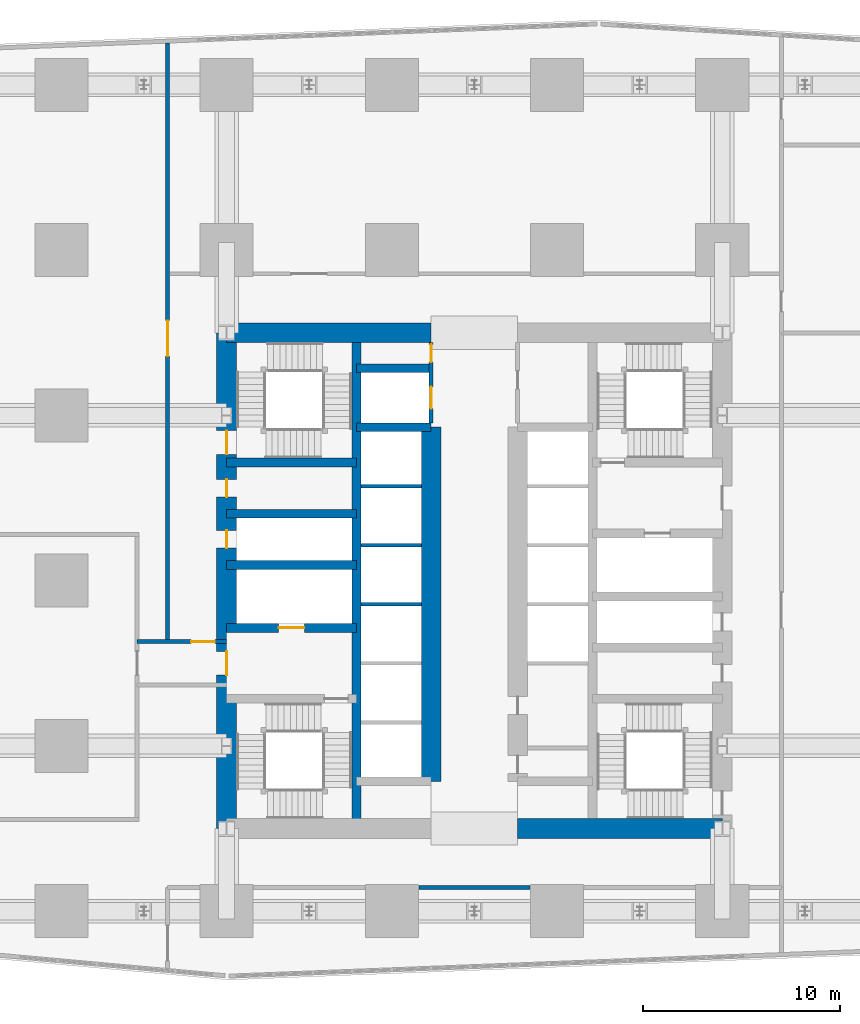
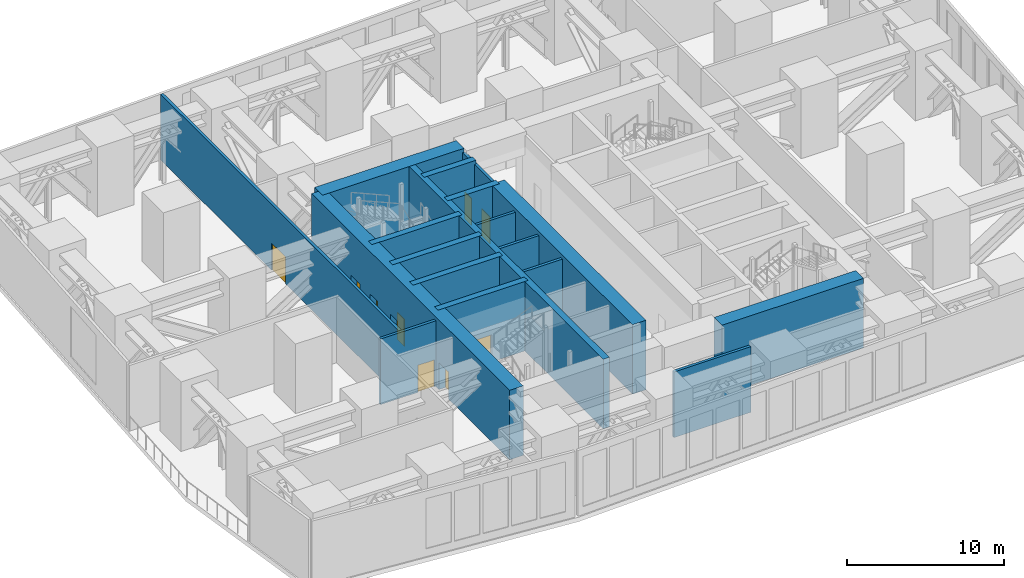
# One storey, part 9 of 16: 18 walls, 9 doors, 9 openings.
"""IFC4 building model written with IfcOpenShell, lengths in metres."""

from ifc_helpers import new_model, si_unit, direction, frame, frame_2d, origin, place, context, subcontext, project, spatial, rectangle, extrude, material, layer, layer_set, type_object, element, fill, save


model = new_model("IFC4")

# Units and contexts
model_context = context("Model", 3, precision=1e-05, world=origin(), true_north=direction((0.0, 1.0)))
body_context = subcontext(model_context, "Body", "Model", "MODEL_VIEW")
ifc_project = project(units=[si_unit("LENGTHUNIT", "METRE"), si_unit("AREAUNIT", "SQUARE_METRE"), si_unit("VOLUMEUNIT", "CUBIC_METRE"), si_unit("PLANEANGLEUNIT", "RADIAN"), si_unit("MASSUNIT", "GRAM", prefix="KILO")], contexts=[model_context])

# Site, building, storey
site_placement = place(None, origin())
site = spatial("IfcSite", under=ifc_project, at=site_placement, CompositionType="ELEMENT")
building_placement = place(site_placement, origin())
building = spatial("IfcBuilding", under=site, at=building_placement, Name="Rekha Terrace Tower", CompositionType="ELEMENT")
storey_placement = place(building_placement, frame((0.0, 0.0, 162.800048828125)))
storey = spatial("IfcBuildingStorey", under=building, at=storey_placement, Name="L41", CompositionType="ELEMENT", Elevation=162.800048828125)

# Walls
ifc_material_1 = material(Name="Concrete M60", Category="concrete")
ifc_layer_1 = layer(ifc_material_1, 0.449951171875)
ifc_layer_set_1 = layer_set([ifc_layer_1], Name="Concrete M60")
wall_type_1 = type_object("IfcWallType", Name="CI3 450 core internal shear wall", PredefinedType="SHEAR", material=ifc_layer_set_1)
wall_1_placement = place(storey_placement, frame((31.800048828125, 21.0, 0.0), z_axis=(0.0, 0.0, 1.0), x_axis=(0.0, 1.0, 0.0)))
element("IfcWall", 1, at=wall_1_placement, inside=storey, type_object=wall_type_1, Name="Core wall X318 L41", PredefinedType="SHEAR", context=body_context, shape_type="SweptSolid", body=[
    extrude(rectangle(XDim=25.199951171875, YDim=0.449951171875, at=frame_2d((12.60009765625, 0.0))), origin(), (0.0, 0.0, 1.0), 5.39990234375),
])
for number, where, z_axis, x_axis, name in (
    (2, (31.800048828125, 41.39990234375, 0.0), (0.0, 0.0, 1.0), (1.0, 0.0, 0.0), "Core wall Y414W L41"),
    (3, (31.800048828125, 44.39990234375, 0.0), (0.0, 0.0, 1.0), (1.0, 0.0, 0.0), "Core wall Y444W L41"),
):
    element("IfcWall", number, at=place(storey_placement, frame(where, z_axis=z_axis, x_axis=x_axis)), inside=storey, type_object=wall_type_1, Name=name, PredefinedType="SHEAR", context=body_context, shape_type="SweptSolid", body=[
        extrude(rectangle(XDim=3.800048828125, YDim=0.449951171875, at=frame_2d((1.89990234375, 0.0))), origin(), (0.0, 0.0, 1.0), 5.39990234375),
    ])

# Wall, opening, door
wall_2_placement = place(storey_placement, frame((25.199951171875, 31.199951171875, 0.0), z_axis=(0.0, 0.0, 1.0), x_axis=(1.0, 0.0, 0.0)))
wall_2 = element("IfcWall", 4, at=wall_2_placement, inside=storey, type_object=wall_type_1, Name="Core wall Y312W L41", PredefinedType="SHEAR", context=body_context, shape_type="SweptSolid", body=[
    extrude(rectangle(XDim=6.60009765625, YDim=0.449951171875, at=frame_2d((3.300048828125, 0.0))), origin(), (0.0, 0.0, 1.0), 5.39990234375),
])
opening_1_placement = place(wall_2_placement, frame((2.64990234375, 0.0, 0.0)))
opening_1 = element("IfcOpeningElement", 5, at=opening_1_placement, cuts=wall_2, Name="Opening LD2", PredefinedType="OPENING", context=body_context, shape_type="SweptSolid", body=[
    extrude(rectangle(XDim=1.300048828125, YDim=2.10009765625, at=frame_2d((0.64990234375, 1.050048828125))), frame((0.0, 0.23486328125, 0.0), z_axis=(0.0, -1.0, 0.0), x_axis=(1.0, 0.0, 0.0)), (0.0, 0.0, 1.0), 0.469970703125),
])
ifc_material_2 = material(Name="Stainless steel sliding landing door", Category="steel")
door_type_1 = type_object("IfcDoorType", Name="LD2 1300x2100 fire lift landing door", OperationType="SLIDING_TO_LEFT", PredefinedType="USERDEFINED", material=ifc_material_2)
door_1_placement = place(opening_1_placement, origin())
door_1 = element("IfcDoor", 6, at=door_1_placement, inside=storey, type_object=door_type_1, Name="Lift FL1 landing door L41", ObjectType="LIFT LANDING DOOR", OperationType="SLIDING_TO_LEFT", OverallHeight=2.10009765625, OverallWidth=1.300048828125, PredefinedType="USERDEFINED", context=body_context, shape_type="SweptSolid", body=[
    extrude(rectangle(XDim=1.300048828125, YDim=2.10009765625, at=frame_2d((0.64990234375, 1.050048828125))), frame((0.0, 0.02490234375, 0.0), z_axis=(0.0, -1.0, 0.0), x_axis=(1.0, 0.0, 0.0)), (0.0, 0.0, 1.0), 0.050048828125),
])
fill(opening_1, door_1)

# Walls
for number, where, z_axis, x_axis, name in (
    (7, (25.199951171875, 34.39990234375, 0.0), (0.0, 0.0, 1.0), (1.0, 0.0, 0.0), "Core wall Y344W L41"),
    (8, (25.199951171875, 37.0, 0.0), (0.0, 0.0, 1.0), (1.0, 0.0, 0.0), "Core wall Y370W L41"),
    (9, (25.199951171875, 39.60009765625, 0.0), (0.0, 0.0, 1.0), (1.0, 0.0, 0.0), "Core wall Y396W L41"),
):
    element("IfcWall", number, at=place(storey_placement, frame(where, z_axis=z_axis, x_axis=x_axis)), inside=storey, type_object=wall_type_1, Name=name, PredefinedType="SHEAR", context=body_context, shape_type="SweptSolid", body=[
        extrude(rectangle(XDim=6.60009765625, YDim=0.449951171875, at=frame_2d((3.300048828125, 0.0))), origin(), (0.0, 0.0, 1.0), 5.39990234375),
    ])
ifc_layer_2 = layer(ifc_material_1, 1.0)
ifc_layer_set_2 = layer_set([ifc_layer_2], Name="Concrete M60")
wall_type_2 = type_object("IfcWallType", Name="LW3 1000 core lobby wall at an outrigger level", PredefinedType="SHEAR", material=ifc_layer_set_2)
wall_3_placement = place(storey_placement, frame((35.60009765625, 23.39990234375, 0.0), z_axis=(0.0, 0.0, 1.0), x_axis=(0.0, 1.0, 0.0)))
element("IfcWall", 10, at=wall_3_placement, inside=storey, type_object=wall_type_2, Name="Core wall X356 L41", PredefinedType="SHEAR", context=body_context, shape_type="SweptSolid", body=[
    extrude(rectangle(XDim=18.0, YDim=1.0, at=frame_2d((9.0, 0.0))), origin(), (0.0, 0.0, 1.0), 5.39990234375),
])
ifc_layer_3 = layer(ifc_material_1, 1.0)
ifc_layer_set_3 = layer_set([ifc_layer_3], Name="Concrete M60")
wall_type_3 = type_object("IfcWallType", Name="SW3 1000 core outer shear wall", PredefinedType="SHEAR", material=ifc_layer_set_3)
wall_4_placement = place(storey_placement, frame((40.0, 21.0, 0.0), z_axis=(0.0, 0.0, 1.0), x_axis=(1.0, 0.0, 0.0)))
element("IfcWall", 11, at=wall_4_placement, inside=storey, type_object=wall_type_3, Name="Core wall S2 L41", PredefinedType="SHEAR", context=body_context, shape_type="SweptSolid", body=[
    extrude(rectangle(XDim=10.39990234375, YDim=1.0, at=frame_2d((5.199951171875, 0.0))), origin(), (0.0, 0.0, 1.0), 5.39990234375),
])
wall_5_placement = place(storey_placement, frame((25.199951171875, 46.199951171875, 0.0), z_axis=(0.0, 0.0, 1.0), x_axis=(1.0, 0.0, 0.0)))
element("IfcWall", 12, at=wall_5_placement, inside=storey, type_object=wall_type_3, Name="Core wall N1 L41", PredefinedType="SHEAR", context=body_context, shape_type="SweptSolid", body=[
    extrude(rectangle(XDim=10.400146484375, YDim=1.0, at=frame_2d((5.2001953125, 0.0))), origin(), (0.0, 0.0, 1.0), 5.39990234375),
])

# Wall, openings, doors
wall_6_placement = place(storey_placement, frame((25.199951171875, 21.0, 0.0), z_axis=(0.0, 0.0, 1.0), x_axis=(0.0, 1.0, 0.0)))
wall_6 = element("IfcWall", 13, at=wall_6_placement, inside=storey, type_object=wall_type_3, Name="Core wall W L41", PredefinedType="SHEAR", context=body_context, shape_type="SweptSolid", body=[
    extrude(rectangle(XDim=25.199951171875, YDim=1.0, at=frame_2d((12.60009765625, 0.0))), origin(), (0.0, 0.0, 1.0), 5.39990234375),
])
opening_2_placement = place(wall_6_placement, frame((7.800048828125, 0.0, 0.0)))
opening_2 = element("IfcOpeningElement", 14, at=opening_2_placement, cuts=wall_6, Name="Opening D2", PredefinedType="OPENING", context=body_context, shape_type="SweptSolid", body=[
    extrude(rectangle(XDim=1.199951171875, YDim=2.10009765625, at=frame_2d((0.60009765625, 1.050048828125))), frame((0.0, 0.510009765625, 0.0), z_axis=(0.0, -1.0, 0.0), x_axis=(1.0, 0.0, 0.0)), (0.0, 0.0, 1.0), 1.02001953125),
])
opening_3_placement = place(wall_6_placement, frame((14.25, 0.0, 0.0)))
opening_3 = element("IfcOpeningElement", 15, at=opening_3_placement, cuts=wall_6, Name="Opening D5", PredefinedType="OPENING", context=body_context, shape_type="SweptSolid", body=[
    extrude(rectangle(XDim=0.89990234375, YDim=2.10009765625, at=frame_2d((0.449951171875, 1.050048828125))), frame((0.0, 0.510009765625, 0.0), z_axis=(0.0, -1.0, 0.0), x_axis=(1.0, 0.0, 0.0)), (0.0, 0.0, 1.0), 1.02001953125),
])
opening_4_placement = place(wall_6_placement, frame((16.85009765625, 0.0, 0.0)))
opening_4 = element("IfcOpeningElement", 16, at=opening_4_placement, cuts=wall_6, Name="Opening D5", PredefinedType="OPENING", context=body_context, shape_type="SweptSolid", body=[
    extrude(rectangle(XDim=0.89990234375, YDim=2.10009765625, at=frame_2d((0.449951171875, 1.050048828125))), frame((0.0, 0.510009765625, 0.0), z_axis=(0.0, -1.0, 0.0), x_axis=(1.0, 0.0, 0.0)), (0.0, 0.0, 1.0), 1.02001953125),
])
opening_5_placement = place(wall_6_placement, frame((19.02490234375, 0.0, 0.0)))
opening_5 = element("IfcOpeningElement", 17, at=opening_5_placement, cuts=wall_6, Name="Opening D1", PredefinedType="OPENING", context=body_context, shape_type="SweptSolid", body=[
    extrude(rectangle(XDim=1.199951171875, YDim=2.10009765625, at=frame_2d((0.60009765625, 1.050048828125))), frame((0.0, 0.510009765625, 0.0), z_axis=(0.0, -1.0, 0.0), x_axis=(1.0, 0.0, 0.0)), (0.0, 0.0, 1.0), 1.02001953125),
])
ifc_material_3 = material(Name="Steel fire door", Category="steel")
door_type_2 = type_object("IfcDoorType", Name="D1 1200x2100 stair fire door", OperationType="SINGLE_SWING_RIGHT", PredefinedType="DOOR", material=ifc_material_3)
door_2_placement = place(opening_5_placement, origin())
door_2 = element("IfcDoor", 18, at=door_2_placement, inside=storey, type_object=door_type_2, Name="Stair ST4 door L41", OperationType="SINGLE_SWING_RIGHT", OverallHeight=2.10009765625, OverallWidth=1.199951171875, PredefinedType="DOOR", context=body_context, shape_type="SweptSolid", body=[
    extrude(rectangle(XDim=1.199951171875, YDim=2.10009765625, at=frame_2d((0.60009765625, 1.050048828125))), frame((0.0, 0.02490234375, 0.0), z_axis=(0.0, -1.0, 0.0), x_axis=(1.0, 0.0, 0.0)), (0.0, 0.0, 1.0), 0.050048828125),
])
fill(opening_5, door_2)
door_type_3 = type_object("IfcDoorType", Name="D2 1200x2100 firefighting lobby door", OperationType="SINGLE_SWING_LEFT", PredefinedType="DOOR", material=ifc_material_3)
door_3_placement = place(opening_2_placement, origin())
door_3 = element("IfcDoor", 19, at=door_3_placement, inside=storey, type_object=door_type_3, Name="Door flb1 L41", OperationType="SINGLE_SWING_LEFT", OverallHeight=2.10009765625, OverallWidth=1.199951171875, PredefinedType="DOOR", context=body_context, shape_type="SweptSolid", body=[
    extrude(rectangle(XDim=1.199951171875, YDim=2.10009765625, at=frame_2d((0.60009765625, 1.050048828125))), frame((0.0, 0.02490234375, 0.0), z_axis=(0.0, -1.0, 0.0), x_axis=(1.0, 0.0, 0.0)), (0.0, 0.0, 1.0), 0.050048828125),
])
fill(opening_2, door_3)
door_type_4 = type_object("IfcDoorType", Name="D5 900x2100 riser access door", OperationType="SINGLE_SWING_LEFT", PredefinedType="DOOR", material=ifc_material_3)
door_4_placement = place(opening_3_placement, origin())
door_4 = element("IfcDoor", 20, at=door_4_placement, inside=storey, type_object=door_type_4, Name="Door rs1 L41", OperationType="SINGLE_SWING_LEFT", OverallHeight=2.10009765625, OverallWidth=0.89990234375, PredefinedType="DOOR", context=body_context, shape_type="SweptSolid", body=[
    extrude(rectangle(XDim=0.89990234375, YDim=2.10009765625, at=frame_2d((0.449951171875, 1.050048828125))), frame((0.0, 0.02490234375, 0.0), z_axis=(0.0, -1.0, 0.0), x_axis=(1.0, 0.0, 0.0)), (0.0, 0.0, 1.0), 0.050048828125),
])
fill(opening_3, door_4)
door_5_placement = place(opening_4_placement, origin())
door_5 = element("IfcDoor", 21, at=door_5_placement, inside=storey, type_object=door_type_4, Name="Door elw L41", OperationType="SINGLE_SWING_LEFT", OverallHeight=2.10009765625, OverallWidth=0.89990234375, PredefinedType="DOOR", context=body_context, shape_type="SweptSolid", body=[
    extrude(rectangle(XDim=0.89990234375, YDim=2.10009765625, at=frame_2d((0.449951171875, 1.050048828125))), frame((0.0, 0.02490234375, 0.0), z_axis=(0.0, -1.0, 0.0), x_axis=(1.0, 0.0, 0.0)), (0.0, 0.0, 1.0), 0.050048828125),
])
fill(opening_4, door_5)

# Wall
ifc_material_4 = material(Name="Solid concrete block masonry, 2 hour", Category="masonry")
ifc_layer_4 = layer(ifc_material_4, 0.199951171875)
ifc_layer_set_4 = layer_set([ifc_layer_4], Name="Solid concrete block masonry, 2 hour")
wall_type_4 = type_object("IfcWallType", Name="WP1 200 plant room wall", PredefinedType="PARTITIONING", material=ifc_layer_set_4)
wall_7_placement = place(storey_placement, frame((34.969970703125, 18.0, 0.0), z_axis=(0.0, 0.0, 1.0), x_axis=(1.0, 0.0, 0.0)))
element("IfcWall", 22, at=wall_7_placement, inside=storey, type_object=wall_type_4, Name="Partition L41-02", PredefinedType="PARTITIONING", context=body_context, shape_type="SweptSolid", body=[
    extrude(rectangle(XDim=5.659912109375, YDim=0.199951171875, at=frame_2d((2.830078125, 0.0))), origin(), (0.0, 0.0, 1.0), 5.099853515625),
])

# Wall, opening, door
wall_8_placement = place(storey_placement, frame((22.199951171875, 60.925048828125, 0.0), z_axis=(0.0, 0.0, 1.0), x_axis=(0.0, -1.0, 0.0)))
wall_8 = element("IfcWall", 23, at=wall_8_placement, inside=storey, type_object=wall_type_4, Name="Partition L41-03", PredefinedType="PARTITIONING", context=body_context, shape_type="SweptSolid", body=[
    extrude(rectangle(XDim=30.31396484375, YDim=0.199951171875, at=frame_2d((15.156982421875, 0.0))), origin(), (0.0, 0.0, 1.0), 5.099853515625),
])
opening_6_placement = place(wall_8_placement, frame((14.112060546875, 0.0, 0.0)))
opening_6 = element("IfcOpeningElement", 24, at=opening_6_placement, cuts=wall_8, Name="Opening D6", PredefinedType="OPENING", context=body_context, shape_type="SweptSolid", body=[
    extrude(rectangle(XDim=1.800048828125, YDim=2.10009765625, at=frame_2d((0.89990234375, 1.050048828125))), frame((0.0, 0.10986328125, 0.0), z_axis=(0.0, -1.0, 0.0), x_axis=(1.0, 0.0, 0.0)), (0.0, 0.0, 1.0), 0.219970703125),
])
door_type_5 = type_object("IfcDoorType", Name="D6 1800x2100 plant room double door", OperationType="DOUBLE_DOOR_SINGLE_SWING", PredefinedType="DOOR", material=ifc_material_3)
door_6_placement = place(opening_6_placement, origin())
door_6 = element("IfcDoor", 25, at=door_6_placement, inside=storey, type_object=door_type_5, Name="Door ahu plant room L41", OperationType="DOUBLE_DOOR_SINGLE_SWING", OverallHeight=2.10009765625, OverallWidth=1.800048828125, PredefinedType="DOOR", context=body_context, shape_type="SweptSolid", body=[
    extrude(rectangle(XDim=1.800048828125, YDim=2.10009765625, at=frame_2d((0.89990234375, 1.050048828125))), frame((0.0, 0.02490234375, 0.0), z_axis=(0.0, -1.0, 0.0), x_axis=(1.0, 0.0, 0.0)), (0.0, 0.0, 1.0), 0.050048828125),
])
fill(opening_6, door_6)

# Walls
ifc_layer_5 = layer(ifc_material_4, 0.199951171875)
ifc_layer_set_5 = layer_set([ifc_layer_5], Name="Solid concrete block masonry, 2 hour")
wall_type_5 = type_object("IfcWallType", Name="WS1 200 stair and shaft enclosure", PredefinedType="PARTITIONING", material=ifc_layer_set_5)
for number, where, z_axis, x_axis, name in (
    (26, (32.02490234375, 32.39990234375, 0.0), (0.0, 0.0, 1.0), (1.0, 0.0, 0.0), "Lift shaft divider L41"),
    (27, (32.02490234375, 35.39990234375, 0.0), (0.0, 0.0, 1.0), (1.0, 0.0, 0.0), "Lift shaft divider L41"),
    (28, (32.02490234375, 38.39990234375, 0.0), (0.0, 0.0, 1.0), (1.0, 0.0, 0.0), "Lift shaft divider L41"),
):
    element("IfcWall", number, at=place(storey_placement, frame(where, z_axis=z_axis, x_axis=x_axis)), inside=storey, type_object=wall_type_5, Name=name, PredefinedType="PARTITIONING", context=body_context, shape_type="SweptSolid", body=[
        extrude(rectangle(XDim=3.0751953125, YDim=0.199951171875, at=frame_2d((1.53759765625, 0.0))), origin(), (0.0, 0.0, 1.0), 5.099853515625),
    ])

# Wall, openings, doors
wall_9_placement = place(storey_placement, frame((35.60009765625, 41.625, 0.0), z_axis=(0.0, 0.0, 1.0), x_axis=(0.0, 1.0, 0.0)))
wall_9 = element("IfcWall", 29, at=wall_9_placement, inside=storey, type_object=wall_type_5, Name="Core partition jansv L41", PredefinedType="PARTITIONING", context=body_context, shape_type="SweptSolid", body=[
    extrude(rectangle(XDim=4.074951171875, YDim=0.199951171875, at=frame_2d((2.03759765625, 0.0))), origin(), (0.0, 0.0, 1.0), 5.099853515625),
])
opening_7_placement = place(wall_9_placement, frame((3.087890625, 0.0, 0.0)))
opening_7 = element("IfcOpeningElement", 30, at=opening_7_placement, cuts=wall_9, Name="Opening D5", PredefinedType="OPENING", context=body_context, shape_type="SweptSolid", body=[
    extrude(rectangle(XDim=0.89990234375, YDim=2.10009765625, at=frame_2d((0.449951171875, 1.050048828125))), frame((0.0, 0.10986328125, 0.0), z_axis=(0.0, -1.0, 0.0), x_axis=(1.0, 0.0, 0.0)), (0.0, 0.0, 1.0), 0.219970703125),
])
opening_8_placement = place(wall_9_placement, frame((0.72509765625, 0.0, 0.0)))
opening_8 = element("IfcOpeningElement", 31, at=opening_8_placement, cuts=wall_9, Name="Opening LD1", PredefinedType="OPENING", context=body_context, shape_type="SweptSolid", body=[
    extrude(rectangle(XDim=1.10009765625, YDim=2.10009765625, at=frame_2d((0.550048828125, 1.050048828125))), frame((0.0, 0.10986328125, 0.0), z_axis=(0.0, -1.0, 0.0), x_axis=(1.0, 0.0, 0.0)), (0.0, 0.0, 1.0), 0.219970703125),
])
door_7_placement = place(opening_7_placement, origin())
door_7 = element("IfcDoor", 32, at=door_7_placement, inside=storey, type_object=door_type_4, Name="Door janitor room L41", OperationType="SINGLE_SWING_LEFT", OverallHeight=2.10009765625, OverallWidth=0.89990234375, PredefinedType="DOOR", context=body_context, shape_type="SweptSolid", body=[
    extrude(rectangle(XDim=0.89990234375, YDim=2.10009765625, at=frame_2d((0.449951171875, 1.050048828125))), frame((0.0, 0.02490234375, 0.0), z_axis=(0.0, -1.0, 0.0), x_axis=(1.0, 0.0, 0.0)), (0.0, 0.0, 1.0), 0.050048828125),
])
fill(opening_7, door_7)
door_type_6 = type_object("IfcDoorType", Name="LD1 1100x2100 lift landing door", OperationType="SLIDING_TO_LEFT", PredefinedType="USERDEFINED", material=ifc_material_2)
door_8_placement = place(opening_8_placement, origin())
door_8 = element("IfcDoor", 33, at=door_8_placement, inside=storey, type_object=door_type_6, Name="Lift SV1 landing door L41", ObjectType="LIFT LANDING DOOR", OperationType="SLIDING_TO_LEFT", OverallHeight=2.10009765625, OverallWidth=1.10009765625, PredefinedType="USERDEFINED", context=body_context, shape_type="SweptSolid", body=[
    extrude(rectangle(XDim=1.10009765625, YDim=2.10009765625, at=frame_2d((0.550048828125, 1.050048828125))), frame((0.0, 0.02490234375, 0.0), z_axis=(0.0, -1.0, 0.0), x_axis=(1.0, 0.0, 0.0)), (0.0, 0.0, 1.0), 0.050048828125),
])
fill(opening_8, door_8)

# Wall, opening, door
wall_10_placement = place(storey_placement, frame((20.64990234375, 30.5, 0.0), z_axis=(0.0, 0.0, 1.0), x_axis=(1.0, 0.0, 0.0)))
wall_10 = element("IfcWall", 34, at=wall_10_placement, inside=storey, type_object=wall_type_5, Name="Refuge corridor north wall L41", PredefinedType="PARTITIONING", context=body_context, shape_type="SweptSolid", body=[
    extrude(rectangle(XDim=4.550048828125, YDim=0.199951171875, at=frame_2d((2.27490234375, 0.0))), origin(), (0.0, 0.0, 1.0), 5.099853515625),
])
opening_9_placement = place(wall_10_placement, frame((2.75, 0.0, 0.0)))
opening_9 = element("IfcOpeningElement", 35, at=opening_9_placement, cuts=wall_10, Name="Opening D2", PredefinedType="OPENING", context=body_context, shape_type="SweptSolid", body=[
    extrude(rectangle(XDim=1.199951171875, YDim=2.10009765625, at=frame_2d((0.60009765625, 1.050048828125))), frame((0.0, 0.10986328125, 0.0), z_axis=(0.0, -1.0, 0.0), x_axis=(1.0, 0.0, 0.0)), (0.0, 0.0, 1.0), 0.219970703125),
])
door_9_placement = place(opening_9_placement, origin())
door_9 = element("IfcDoor", 36, at=door_9_placement, inside=storey, type_object=door_type_3, Name="Refuge corridor door L41", OperationType="SINGLE_SWING_LEFT", OverallHeight=2.10009765625, OverallWidth=1.199951171875, PredefinedType="DOOR", context=body_context, shape_type="SweptSolid", body=[
    extrude(rectangle(XDim=1.199951171875, YDim=2.10009765625, at=frame_2d((0.60009765625, 1.050048828125))), frame((0.0, 0.02490234375, 0.0), z_axis=(0.0, -1.0, 0.0), x_axis=(1.0, 0.0, 0.0)), (0.0, 0.0, 1.0), 0.050048828125),
])
fill(opening_9, door_9)

save(model, "model.ifc")
